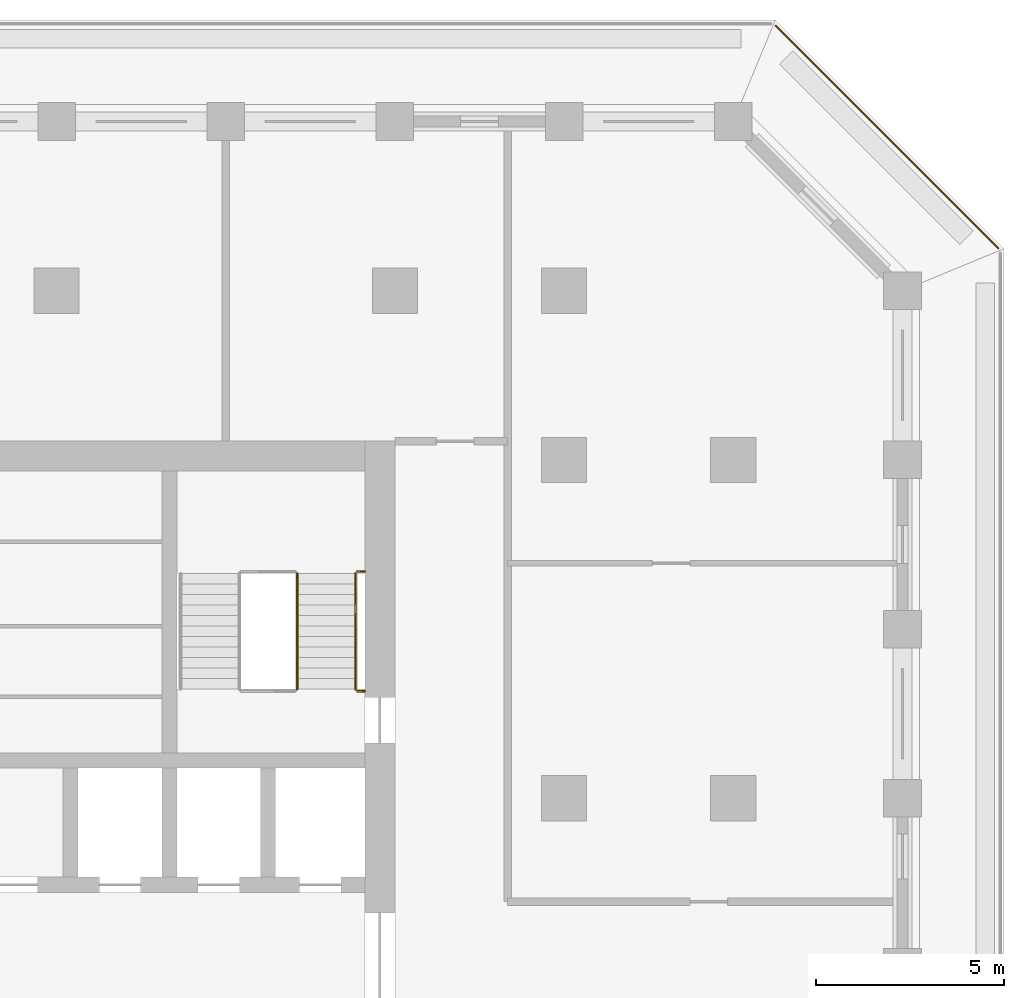
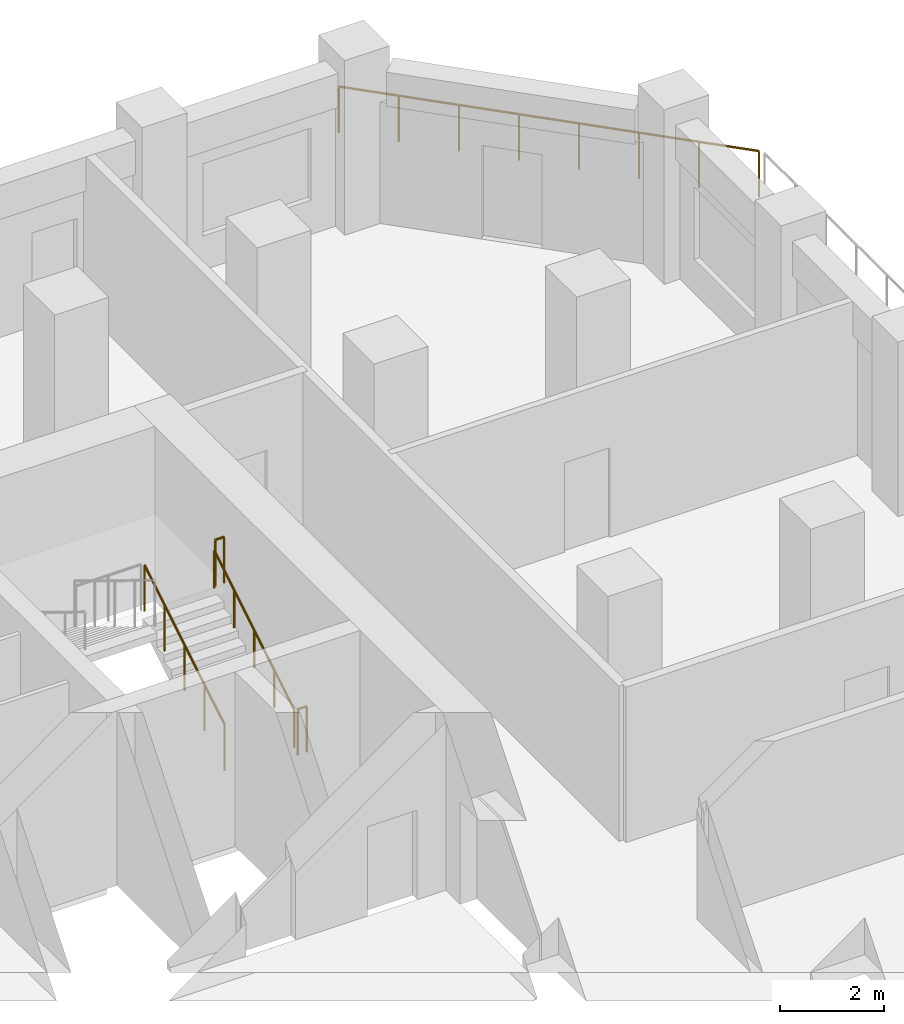
# One storey, part 15 of 16: 5 railings.
"""IFC4 building model written with IfcOpenShell, lengths in metres."""

from ifc_helpers import new_model, si_unit, direction, frame, origin, origin_2d, place, context, subcontext, project, spatial, circle, extrude, material, type_object, element, save


model = new_model("IFC4")

# Units and contexts
model_context = context("Model", 3, precision=1e-05, world=origin(), true_north=direction((0.0, 1.0)))
body_context = subcontext(model_context, "Body", "Model", "MODEL_VIEW")
ifc_project = project(units=[si_unit("LENGTHUNIT", "METRE"), si_unit("AREAUNIT", "SQUARE_METRE"), si_unit("VOLUMEUNIT", "CUBIC_METRE"), si_unit("PLANEANGLEUNIT", "RADIAN"), si_unit("MASSUNIT", "GRAM", prefix="KILO")], contexts=[model_context])

# Site, building, storey
site_placement = place(None, origin())
site = spatial("IfcSite", under=ifc_project, at=site_placement, CompositionType="ELEMENT")
building_placement = place(site_placement, origin())
building = spatial("IfcBuilding", under=site, at=building_placement, Name="Corbel Stack Research Tower", CompositionType="ELEMENT")
storey_placement = place(building_placement, frame((0.0, 0.0, 195.60009765625)))
storey = spatial("IfcBuildingStorey", under=building, at=storey_placement, Name="L44", CompositionType="ELEMENT", Elevation=195.60009765625)

# Railings
ifc_material_1 = material(Name="Steel S355", Category="steel")
railing_type_1 = type_object("IfcRailingType", Name="Stair guard 1100", PredefinedType="GUARDRAIL", material=ifc_material_1)
railing_1_placement = place(storey_placement, frame((15.39990234375, 11.89990234375, 0.170654296875)))
element("IfcRailing", 1, at=railing_1_placement, inside=storey, type_object=railing_type_1, Name="L44 ST-E2 stair guard 1", PredefinedType="GUARDRAIL", context=body_context, shape_type="SweptSolid", body=[
    extrude(circle(Radius=0.02392578125, at=origin_2d()), frame((0.0, 0.0, 1.076171875), z_axis=(0.0, 0.853666305674, 0.52082035152), x_axis=(-1.0, 0.0, 0.0)), (0.0, 0.0, 1.0), 3.608154296875),
    extrude(circle(Radius=0.02099609375, at=origin_2d()), origin(), (0.0, 0.0, 1.0), 1.052001953125),
    extrude(circle(Radius=0.02099609375, at=origin_2d()), frame((0.0, 0.77001953125, 0.4697265625)), (0.0, 0.0, 1.0), 1.052001953125),
    extrude(circle(Radius=0.02099609375, at=origin_2d()), frame((0.0, 1.5400390625, 0.939453125)), (0.0, 0.0, 1.0), 1.052001953125),
    extrude(circle(Radius=0.02099609375, at=origin_2d()), frame((0.0, 2.31005859375, 1.409423828125)), (0.0, 0.0, 1.0), 1.052001953125),
    extrude(circle(Radius=0.02099609375, at=origin_2d()), frame((0.0, 3.080078125, 1.879150390625)), (0.0, 0.0, 1.0), 1.052001953125),
])
for number, where, name in (
    (2, (17.199951171875, 15.030029296875, 2.0498046875), "L44 ST-E2 stair guard 3"),
    (3, (17.199951171875, 11.85009765625, 0.0), "L44 ST-E2 stair guard 6"),
):
    element("IfcRailing", number, at=place(storey_placement, frame(where)), inside=storey, type_object=railing_type_1, Name=name, PredefinedType="GUARDRAIL", context=body_context, shape_type="SweptSolid", body=[
        extrude(circle(Radius=0.02392578125, at=origin_2d()), frame((0.0, 0.0, 1.076171875), z_axis=(-1.0, 0.0, 0.0), x_axis=(0.0, -1.0, 0.0)), (0.0, 0.0, 1.0), 0.199951171875),
        extrude(circle(Radius=0.02099609375, at=origin_2d()), origin(), (0.0, 0.0, 1.0), 1.052001953125),
        extrude(circle(Radius=0.02099609375, at=origin_2d()), frame((-0.199951171875, 0.0, 0.0)), (0.0, 0.0, 1.0), 1.052001953125),
    ])
ifc_material_2 = material(Name="Steel S355", Category="steel")
railing_type_2 = type_object("IfcRailingType", Name="Stair handrail 900", PredefinedType="HANDRAIL", material=ifc_material_2)
railing_2_placement = place(storey_placement, frame((16.949951171875, 11.89990234375, 0.170654296875)))
element("IfcRailing", 4, at=railing_2_placement, inside=storey, type_object=railing_type_2, Name="L44 ST-E2 stair handrail 1", PredefinedType="HANDRAIL", context=body_context, shape_type="SweptSolid", body=[
    extrude(circle(Radius=0.02392578125, at=origin_2d()), frame((0.0, 0.0, 0.8759765625), z_axis=(0.0, 0.853666305674, 0.52082035152), x_axis=(-1.0, 0.0, 0.0)), (0.0, 0.0, 1.0), 3.608154296875),
    extrude(circle(Radius=0.02099609375, at=origin_2d()), origin(), (0.0, 0.0, 1.0), 0.851806640625),
    extrude(circle(Radius=0.02099609375, at=origin_2d()), frame((0.0, 0.77001953125, 0.4697265625)), (0.0, 0.0, 1.0), 0.851806640625),
    extrude(circle(Radius=0.02099609375, at=origin_2d()), frame((0.0, 1.5400390625, 0.939453125)), (0.0, 0.0, 1.0), 0.851806640625),
    extrude(circle(Radius=0.02099609375, at=origin_2d()), frame((0.0, 2.31005859375, 1.409423828125)), (0.0, 0.0, 1.0), 0.851806640625),
    extrude(circle(Radius=0.02099609375, at=origin_2d()), frame((0.0, 3.080078125, 1.879150390625)), (0.0, 0.0, 1.0), 0.851806640625),
])
ifc_material_3 = material(Name="Powder-coated steel guard", Category="steel")
railing_type_3 = type_object("IfcRailingType", Name="Steel and glass guard 1100", PredefinedType="GUARDRAIL", material=ifc_material_3)
railing_3_placement = place(storey_placement, frame((34.04931640625, 23.627685546875, 0.0)))
element("IfcRailing", 5, at=railing_3_placement, inside=storey, type_object=railing_type_3, Name="Loggia guard L44 NE", PredefinedType="GUARDRAIL", context=body_context, shape_type="SweptSolid", body=[
    extrude(circle(Radius=0.02392578125, at=origin_2d()), frame((0.0, 0.0, 1.076171875), z_axis=(-0.707106781187, 0.707106781187, 0.0), x_axis=(-0.707106781187, -0.707106781187, 0.0)), (0.0, 0.0, 1.0), 8.37451171875),
    extrude(circle(Radius=0.02099609375, at=origin_2d()), origin(), (0.0, 0.0, 1.0), 1.052001953125),
    extrude(circle(Radius=0.02099609375, at=origin_2d()), frame((-0.845947265625, 0.845947265625, 0.0)), (0.0, 0.0, 1.0), 1.052001953125),
    extrude(circle(Radius=0.02099609375, at=origin_2d()), frame((-1.69189453125, 1.69189453125, 0.0)), (0.0, 0.0, 1.0), 1.052001953125),
    extrude(circle(Radius=0.02099609375, at=origin_2d()), frame((-2.537841796875, 2.537841796875, 0.0)), (0.0, 0.0, 1.0), 1.052001953125),
    extrude(circle(Radius=0.02099609375, at=origin_2d()), frame((-3.3837890625, 3.3837890625, 0.0)), (0.0, 0.0, 1.0), 1.052001953125),
    extrude(circle(Radius=0.02099609375, at=origin_2d()), frame((-4.229736328125, 4.229736328125, 0.0)), (0.0, 0.0, 1.0), 1.052001953125),
    extrude(circle(Radius=0.02099609375, at=origin_2d()), frame((-5.07568359375, 5.07568359375, 0.0)), (0.0, 0.0, 1.0), 1.052001953125),
    extrude(circle(Radius=0.02099609375, at=origin_2d()), frame((-5.921630859375, 5.921630859375, 0.0)), (0.0, 0.0, 1.0), 1.052001953125),
])

save(model, "model.ifc")
